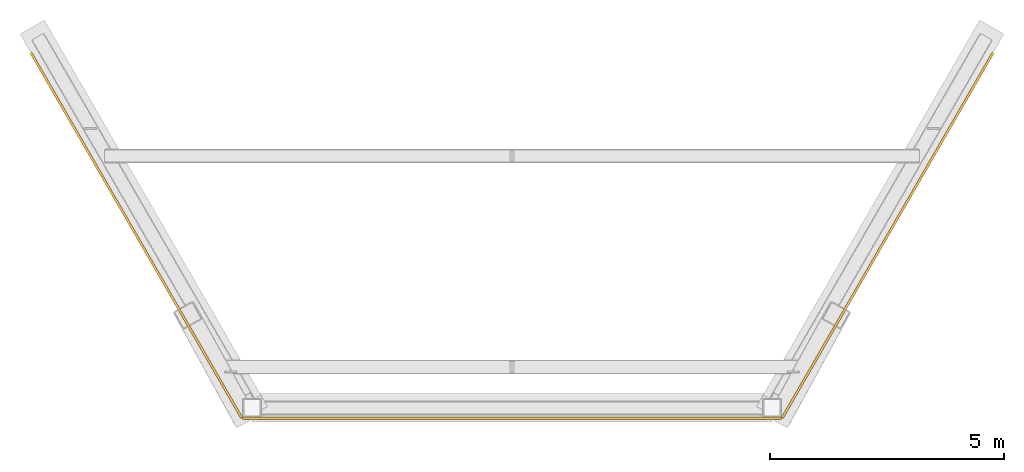
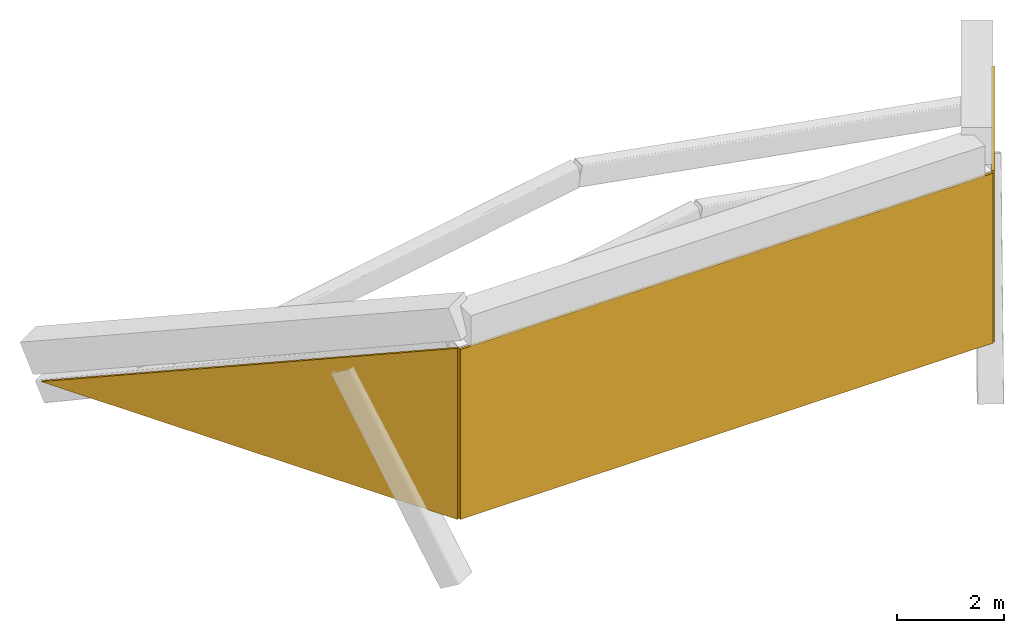
# One storey, part 2 of 2: 3 coverings.
"""IFC4 building model written with IfcOpenShell, lengths in metres."""

from ifc_helpers import new_model, si_unit, direction, frame, origin, place, context, subcontext, project, spatial, polyline, outline, extrude, material, layer, layer_set, type_object, element, save


model = new_model("IFC4")

# Units and contexts
model_context = context("Model", 3, precision=1e-05, world=origin(), true_north=direction((0.0, 1.0)))
body_context = subcontext(model_context, "Body", "Model", "MODEL_VIEW")
ifc_project = project(units=[si_unit("LENGTHUNIT", "METRE"), si_unit("AREAUNIT", "SQUARE_METRE"), si_unit("VOLUMEUNIT", "CUBIC_METRE"), si_unit("PLANEANGLEUNIT", "RADIAN"), si_unit("MASSUNIT", "GRAM", prefix="KILO")], contexts=[model_context])

# Site, building, storey
site_placement = place(None, origin())
site = spatial("IfcSite", under=ifc_project, at=site_placement, CompositionType="ELEMENT")
building_placement = place(site_placement, origin())
building = spatial("IfcBuilding", under=site, at=building_placement, Name="Aloe Facet Convention Tower", CompositionType="ELEMENT")
storey_placement = place(building_placement, frame((0.0, 0.0, 302.300048828125)))
storey = spatial("IfcBuildingStorey", under=building, at=storey_placement, Name="C5", CompositionType="ELEMENT", Elevation=302.300048828125)

# Coverings
ifc_material = material(Name="Perforated aluminium sheet, powder coated", Category="aluminium")
ifc_layer = layer(ifc_material, 0.050048828125)
ifc_layer_set = layer_set([ifc_layer], Name="EV-SCREEN-CROWN")
covering_type = type_object("IfcCoveringType", Name="EV-SCREEN-CROWN", PredefinedType="CLADDING", material=ifc_layer_set)
covering_1_placement = place(storey_placement, frame((69.756103515625, 116.76708984375, 0.0), z_axis=(0.866025515312, 0.499999806828, 0.0), x_axis=(0.458562984414, -0.794254796617, 0.398596672561)))
element("IfcCovering", 1, at=covering_1_placement, inside=storey, type_object=covering_type, Name="SCREEN C5-W08", PredefinedType="CLADDING", context=body_context, shape_type="SweptSolid", body=[
    extrude(outline(polyline([(0.0, 0.0), (9.803681547681537, -4.440892098500626e-16), (8.246079413646967, 3.5838681465861773), (0.0, 0.0)])), origin(), (0.0, 0.0, -1.0), 0.050048828125),
])
covering_2_placement = place(storey_placement, frame((74.251708984375, 108.98046875, 0.0), z_axis=(0.0, 1.0, 0.0), x_axis=(0.0, 0.0, 1.0)))
element("IfcCovering", 2, at=covering_2_placement, inside=storey, type_object=covering_type, Name="SCREEN C5-Z09", PredefinedType="CLADDING", context=body_context, shape_type="SweptSolid", body=[
    extrude(outline(polyline([(0.0, 0.0), (3.8759765625, 0.0), (3.8759765625, 11.49658203125), (0.0, 11.49658203125), (0.0, 0.0)])), origin(), (0.0, 0.0, -1.0), 0.050048828125),
])
covering_3_placement = place(storey_placement, frame((85.748291015625, 108.98046875, 0.0), z_axis=(-0.866025515312, 0.499999806828, 0.0), x_axis=(0.0, 0.0, 1.0)))
element("IfcCovering", 3, at=covering_3_placement, inside=storey, type_object=covering_type, Name="SCREEN C5-E10", PredefinedType="CLADDING", context=body_context, shape_type="SweptSolid", body=[
    extrude(outline(polyline([(0.0, 0.0), (3.90771484375, 0.0), (0.0, 8.991214411206496), (0.0, 0.0)])), origin(), (0.0, 0.0, -1.0), 0.050048828125),
])

save(model, "model.ifc")
